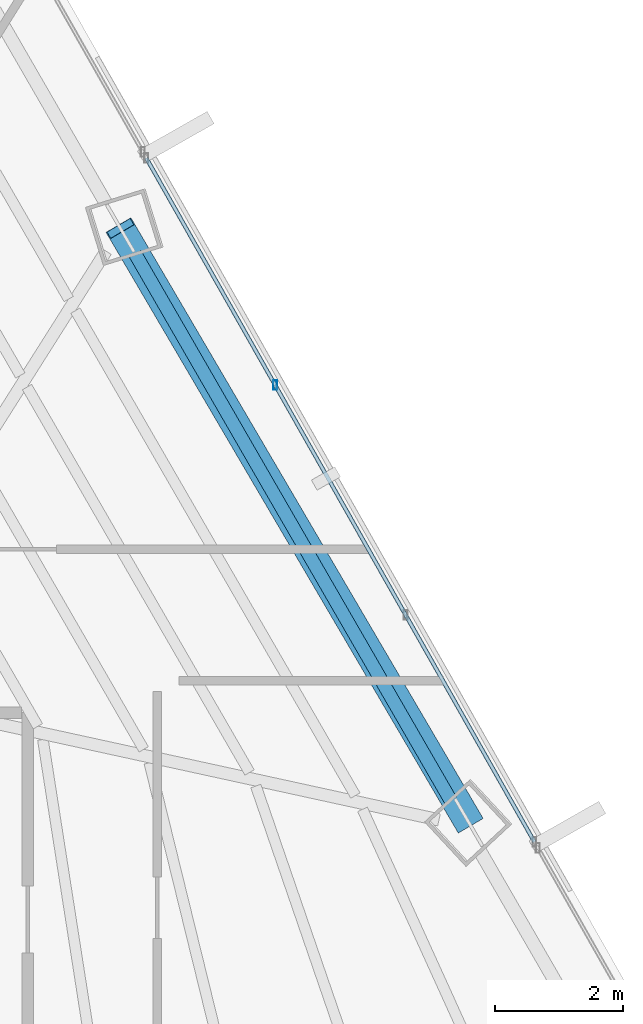
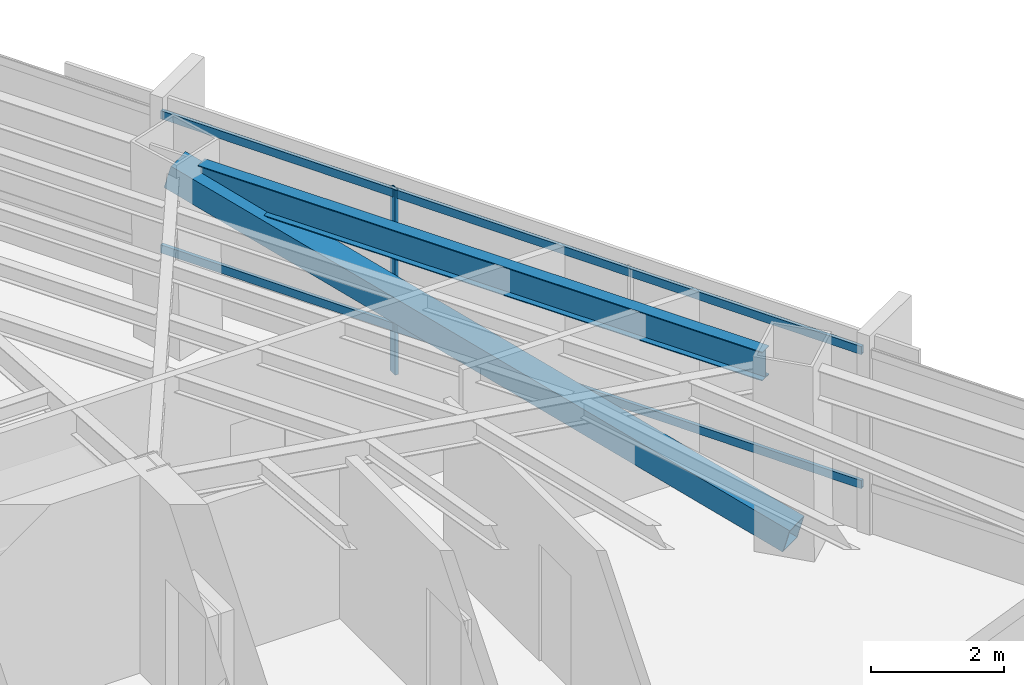
# One storey, part 25 of 41: 4 members, 1 beam, 1 element without a shape of its own.
"""IFC4 building model written with IfcOpenShell, lengths in metres."""

from ifc_helpers import new_model, si_unit, direction, frame, origin, origin_2d, place, context, subcontext, project, spatial, hollow_rectangle, i_section, extrude, source, transform, mapped, material, material_profile, profile_set, type_object, type_shapes, element, aggregate, save


model = new_model("IFC4")

# Units and contexts
model_context = context("Model", 3, precision=1e-05, world=origin(), true_north=direction((0.0, 1.0)))
body_context = subcontext(model_context, "Body", "Model", "MODEL_VIEW")
ifc_project = project(units=[si_unit("LENGTHUNIT", "METRE"), si_unit("AREAUNIT", "SQUARE_METRE"), si_unit("VOLUMEUNIT", "CUBIC_METRE"), si_unit("PLANEANGLEUNIT", "RADIAN"), si_unit("MASSUNIT", "GRAM", prefix="KILO")], contexts=[model_context])

# Site, building, storey
site_placement = place(None, origin())
site = spatial("IfcSite", under=ifc_project, at=site_placement, CompositionType="ELEMENT")
building_placement = place(site_placement, origin())
building = spatial("IfcBuilding", under=site, at=building_placement, Name="Caelisora Broadcast Tower", CompositionType="ELEMENT")
storey_placement = place(building_placement, frame((0.0, 0.0, 135.449951171875)))
storey = spatial("IfcBuildingStorey", under=building, at=storey_placement, Name="L35", CompositionType="ELEMENT", Elevation=135.449951171875)

# Beam
ifc_material_1 = material(Name="Steel Grade 350 (AS/NZS 3679.1)", Category="steel")
ifc_material_profile_1 = material_profile(ifc_material_1, i_section(OverallWidth=0.208984375, OverallDepth=0.532958984375, WebThickness=0.01025390625, FlangeThickness=0.015625, at=origin_2d()), Name="Steel Grade 350 (AS/NZS 3679.1)")
ifc_profile_set_1 = profile_set([ifc_material_profile_1], Name="Steel Grade 350 (AS/NZS 3679.1)")
beam_type = type_object("IfcBeamType", Name="PG05", PredefinedType="BEAM", material=ifc_profile_set_1)
shared_shape_1 = source(origin(), body_context, "Body", "SweptSolid", [
    extrude(i_section(OverallWidth=0.208984375, OverallDepth=0.532958984375, WebThickness=0.01025390625, FlangeThickness=0.015625, at=origin_2d()), origin(), (0.0, 0.0, 1.0), 9.8359375),
])
type_shapes(beam_type, [shared_shape_1])
beam_placement = place(storey_placement, frame((55.174072265625, 28.236572265625, 3.133544921875), z_axis=(-0.499993889515, 0.866028931646, 0.0), x_axis=(-0.866028931646, -0.499993889515, 0.0)))
element("IfcBeam", 1, at=beam_placement, inside=storey, type_object=beam_type, Name="L35 beam PG05", PredefinedType="BEAM", context=body_context, shape_type="MappedRepresentation", body=[
    mapped(shared_shape_1, transform((0.0, 0.0, 0.0), scale=1.0)),
])

# Member
ifc_material_2 = material(Name="Steel Grade 450 (AS/NZS 1163 C450L0)", Category="steel")
ifc_material_profile_2 = material_profile(ifc_material_2, hollow_rectangle(XDim=0.449951171875, YDim=0.449951171875, WallThickness=0.01611328125, at=origin_2d()), Name="Steel Grade 450 (AS/NZS 1163 C450L0)")
ifc_profile_set_2 = profile_set([ifc_material_profile_2], Name="Steel Grade 450 (AS/NZS 1163 C450L0)")
member_type_1 = type_object("IfcMemberType", Name="BR03", PredefinedType="BRACE", material=ifc_profile_set_2)
shared_shape_2 = source(origin(), body_context, "Body", "SweptSolid", [
    extrude(hollow_rectangle(XDim=0.449951171875, YDim=0.449951171875, WallThickness=0.01611328125, at=origin_2d()), origin(), (0.0, 0.0, 1.0), 11.151123046875),
])
type_shapes(member_type_1, [shared_shape_2])
member_1_placement = place(storey_placement, frame((55.45849609375, 27.888671875, 0.10009765625), z_axis=(-0.487182160651, 0.830828178697, 0.269031745015), x_axis=(-0.862632301669, -0.505831505659, 0.0)))
element("IfcMember", 2, at=member_1_placement, inside=storey, type_object=member_type_1, Name="L35 perimeter brace BR03", PredefinedType="BRACE", context=body_context, shape_type="MappedRepresentation", body=[
    mapped(shared_shape_2, transform((0.0, 0.0, 0.0), scale=1.0)),
])

# Curtain wall, members
ifc_material_3 = material(Name="Unitised Aluminium Insulated Shadow-Box Spandrel Curtain Wall", Category="aluminium")
curtain_wall_type = type_object("IfcCurtainWallType", Name="CW-SP2", PredefinedType="NOTDEFINED", material=ifc_material_3)
curtain_wall_placement = place(storey_placement, origin())
curtain_wall = element("IfcCurtainWall", 3, at=curtain_wall_placement, inside=storey, type_object=curtain_wall_type, Name="L35 curtain wall CW-SP2", PredefinedType="NOTDEFINED")
ifc_material_4 = material(Name="Aluminium 6063-T6 Anodised Terracotta Bronze", Category="aluminium")
ifc_material_profile_3 = material_profile(ifc_material_4, hollow_rectangle(XDim=0.06005859375, YDim=0.14990234375, WallThickness=0.00341796875, at=origin_2d()), Name="Aluminium 6063-T6 Anodised Terracotta Bronze")
ifc_profile_set_3 = profile_set([ifc_material_profile_3], Name="Aluminium 6063-T6 Anodised Terracotta Bronze")
member_type_2 = type_object("IfcMemberType", Name="CWM-03", PredefinedType="MULLION", material=ifc_profile_set_3)
shared_shape_3 = source(origin(), body_context, "Body", "SweptSolid", [
    extrude(hollow_rectangle(XDim=0.06005859375, YDim=0.14990234375, WallThickness=0.00341796875, at=origin_2d()), origin(), (0.0, 0.0, 1.0), 3.400146484375),
])
type_shapes(member_type_2, [shared_shape_3])
member_2_placement = place(storey_placement, frame((52.439208984375, 34.708984375, 0.0), z_axis=(0.0, 0.0, 1.0), x_axis=(1.0, 0.0, 0.0)))
member_2 = element("IfcMember", 4, at=member_2_placement, type_object=member_type_2, Name="L35-CW-B02 mullion #1", PredefinedType="MULLION", context=body_context, shape_type="MappedRepresentation", body=[
    mapped(shared_shape_3, transform((0.0, 0.0, 0.0), scale=1.0)),
])
ifc_material_profile_4 = material_profile(ifc_material_4, hollow_rectangle(XDim=0.06005859375, YDim=0.14990234375, WallThickness=0.00341796875, at=origin_2d()), Name="Aluminium 6063-T6 Anodised Terracotta Bronze")
ifc_profile_set_4 = profile_set([ifc_material_profile_4], Name="Aluminium 6063-T6 Anodised Terracotta Bronze")
member_type_3 = type_object("IfcMemberType", Name="CWT-02", PredefinedType="USERDEFINED", material=ifc_profile_set_4)
shared_shape_4 = source(origin(), body_context, "Body", "SweptSolid", [
    extrude(hollow_rectangle(XDim=0.06005859375, YDim=0.14990234375, WallThickness=0.00341796875, at=origin_2d()), origin(), (0.0, 0.0, 1.0), 12.262939453125),
])
type_shapes(member_type_3, [shared_shape_4])
member_3_placement = place(storey_placement, frame((50.4296875, 38.24951171875, 0.85009765625), z_axis=(0.493619763562, -0.869677830591, 0.0), x_axis=(0.869677830591, 0.493619763562, 0.0)))
member_3 = element("IfcMember", 5, at=member_3_placement, type_object=member_type_3, Name="L35-CW-B02 transom #1", ObjectType="TRANSOM", PredefinedType="USERDEFINED", context=body_context, shape_type="MappedRepresentation", body=[
    mapped(shared_shape_4, transform((0.0, 0.0, 0.0), scale=1.0)),
])
member_4_placement = place(storey_placement, frame((50.4296875, 38.24951171875, 3.320068359375), z_axis=(0.493619763562, -0.869677830591, 0.0), x_axis=(0.869677830591, 0.493619763562, 0.0)))
member_4 = element("IfcMember", 6, at=member_4_placement, type_object=member_type_3, Name="L35-CW-B02 transom #2", ObjectType="TRANSOM", PredefinedType="USERDEFINED", context=body_context, shape_type="MappedRepresentation", body=[
    mapped(shared_shape_4, transform((0.0, 0.0, 0.0), scale=1.0)),
])
aggregate(curtain_wall, [member_2, member_3, member_4])

save(model, "model.ifc")
